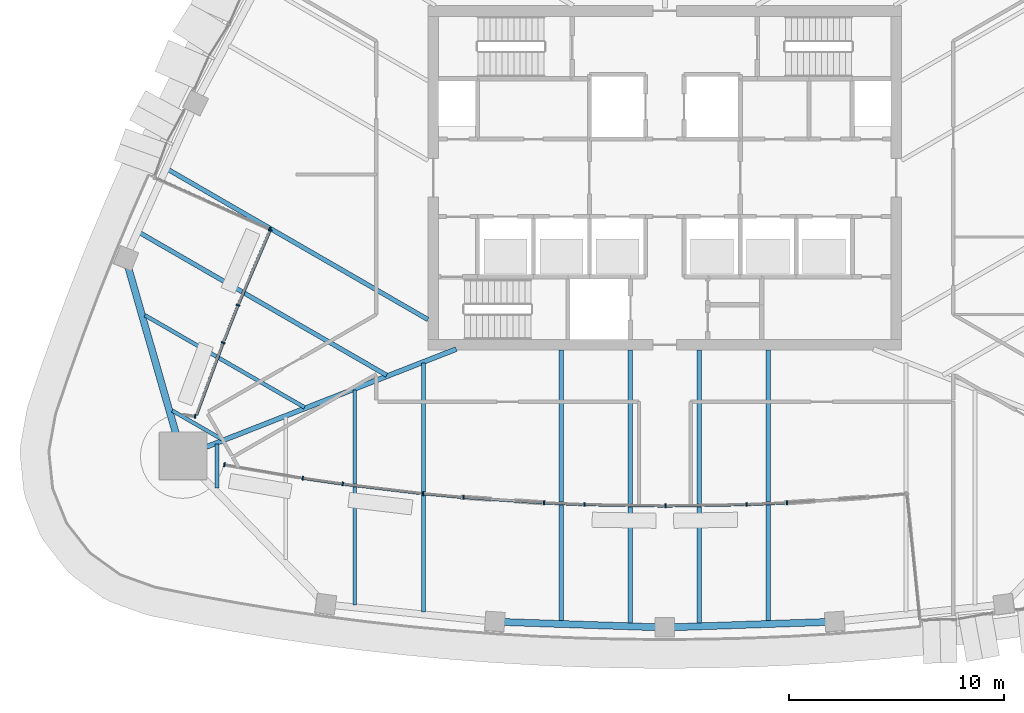
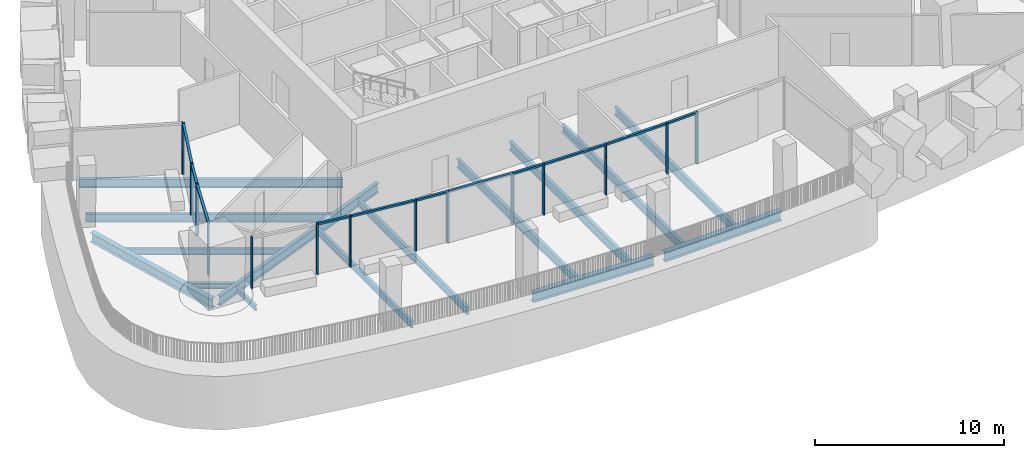
# One storey, part 2 of 22: 26 members, 15 beams, 15 elements without a shape of their own.
"""IFC4 building model written with IfcOpenShell, lengths in metres."""

import ifcopenshell
import ifcopenshell.guid

model = None  # the IFC model being written
_history = None  # IfcOwnerHistory: only IFC2X3 demands one
_inside = {}  # id of a spatial element -> (the spatial element, [elements in it])
_under = {}  # id of a project, library or spatial element -> (it, [spatial elements below it])
_declared = {}  # id of a project -> (the project, [libraries it declares])
_typed = {}  # id of a type object -> (the type object, [elements of that type])
_made_of = {}  # id of a material, layer set ... -> (it, [elements and type objects made of it])


def new_model(schema):
    """Start an empty IFC model of exactly this schema.

    Asked for "IFC4X3", IfcOpenShell would pick the latest addendum, in which some entities
    have other attributes; the version numbers below select the first issue.
    IFC2X3 requires an IfcOwnerHistory on every rooted entity: one is made here for all.
    """
    global model, _history
    if schema == "IFC4X3":
        model = ifcopenshell.file(schema_version=(4, 3, 0, 0))
    else:
        model = ifcopenshell.file(schema=schema)
    _inside.clear()
    _under.clear()
    _declared.clear()
    _typed.clear()
    _made_of.clear()
    _history = None
    if model.schema == "IFC2X3":
        org = make("IfcOrganization", Name="unknown")
        user = make(
            "IfcPersonAndOrganization",
            ThePerson=make("IfcPerson", FamilyName="unknown"),
            TheOrganization=org,
        )
        app = make(
            "IfcApplication",
            ApplicationDeveloper=org,
            Version="unknown",
            ApplicationFullName="unknown",
            ApplicationIdentifier="unknown",
        )
        _history = make(
            "IfcOwnerHistory",
            OwningUser=user,
            OwningApplication=app,
            ChangeAction="ADDED",
            CreationDate=0,
        )
    return model


def make(cls, **values):
    """One entity of the class cls with the attributes given. An attribute that is None is left unset."""
    return model.create_entity(
        cls, **{name: value for name, value in values.items() if value is not None}
    )


def rooted(cls, **values):
    """An entity with a GlobalId (a new one), such as an element, a storey or a relation."""
    return make(cls, GlobalId=ifcopenshell.guid.new(), OwnerHistory=_history, **values)


def si_unit(unit_type, name, prefix=None):
    """IfcSIUnit, for example si_unit("LENGTHUNIT", "METRE", prefix="MILLI")."""
    return make("IfcSIUnit", UnitType=unit_type, Prefix=prefix, Name=name)


def assignment(units):
    """IfcUnitAssignment: the units of a project."""
    return None if units is None else make("IfcUnitAssignment", Units=units)


def point(xyz):
    """IfcCartesianPoint."""
    return None if xyz is None else make("IfcCartesianPoint", Coordinates=xyz)


def direction(xyz):
    """IfcDirection."""
    return None if xyz is None else make("IfcDirection", DirectionRatios=xyz)


def frame(location, z_axis=None, x_axis=None):
    """IfcAxis2Placement3D, a coordinate frame: its origin and axes. An axis left out is left unset."""
    return make(
        "IfcAxis2Placement3D",
        Location=point(location),
        Axis=direction(z_axis),
        RefDirection=direction(x_axis),
    )


def frame_2d(location, x_axis=None):
    """IfcAxis2Placement2D, a coordinate frame in the plane: its origin and x axis."""
    return make(
        "IfcAxis2Placement2D", Location=point(location), RefDirection=direction(x_axis)
    )


def origin():
    """The frame at (0, 0, 0) with its axes left unset."""
    return frame((0.0, 0.0, 0.0))


def origin_2d():
    """The frame at (0, 0) in the plane with its x axis left unset."""
    return frame_2d((0.0, 0.0))


def place(relative_to, where):
    """IfcLocalPlacement: puts the frame where relative to a parent placement (None: the world)."""
    return make(
        "IfcLocalPlacement", PlacementRelTo=relative_to, RelativePlacement=where
    )


def context(
    kind, dimensions, precision=None, world=None, true_north=None, identifier=None
):
    """IfcGeometricRepresentationContext, for example the 3D "Model" context."""
    return make(
        "IfcGeometricRepresentationContext",
        ContextIdentifier=identifier,
        ContextType=kind,
        CoordinateSpaceDimension=dimensions,
        Precision=precision,
        WorldCoordinateSystem=world,
        TrueNorth=true_north,
    )


def subcontext(parent, identifier, kind, view, scale=None):
    """IfcGeometricRepresentationSubContext, for example "Body" below "Model"."""
    return make(
        "IfcGeometricRepresentationSubContext",
        ContextIdentifier=identifier,
        ContextType=kind,
        ParentContext=parent,
        TargetScale=scale,
        TargetView=view,
    )


def project(units=None, contexts=None):
    """IfcProject with its units and contexts."""
    return rooted(
        "IfcProject",
        Name="project",
        RepresentationContexts=contexts,
        UnitsInContext=assignment(units),
    )


def spatial(cls, under=None, at=None, **own):
    """A site, building, storey or space (cls), placed at a placement, below another one or the project."""
    s = rooted(cls, ObjectPlacement=at, **own)
    if under is not None:
        _under.setdefault(under.id(), (under, []))[1].append(s)
    return s


def profile(cls, at=None, kind="AREA", **sizes):
    """A parametric profile (cls). Its sizes go by their IFC names, for example OverallWidth=200.0."""
    return make(cls, ProfileType=kind, Position=at, **sizes)


def rectangle(**sizes):
    """IfcRectangleProfileDef."""
    return profile("IfcRectangleProfileDef", **sizes)


def i_section(**sizes):
    """IfcIShapeProfileDef."""
    return profile("IfcIShapeProfileDef", **sizes)


def extrude(swept, where, along, depth):
    """IfcExtrudedAreaSolid: the profile swept, set in the frame where, extruded along a direction by depth."""
    return make(
        "IfcExtrudedAreaSolid",
        SweptArea=swept,
        Position=where,
        ExtrudedDirection=direction(along),
        Depth=depth,
    )


def shape(context_of_items, identifier, shape_type, items):
    """IfcShapeRepresentation: the items that make up one representation, for example the "Body"."""
    return make(
        "IfcShapeRepresentation",
        ContextOfItems=context_of_items,
        RepresentationIdentifier=identifier,
        RepresentationType=shape_type,
        Items=items,
    )


def material(Name=None, Category=None):
    """IfcMaterial."""
    return make("IfcMaterial", Name=Name, Category=Category)


def layer(
    of_material, thickness, ventilated=None, Name=None, Category=None, Priority=None
):
    """IfcMaterialLayer: one layer of a wall or slab, of a material (None: an air gap)."""
    return make(
        "IfcMaterialLayer",
        Material=of_material,
        LayerThickness=thickness,
        IsVentilated=ventilated,
        Name=Name,
        Category=Category,
        Priority=Priority,
    )


def layer_set(layers, Name=None):
    """IfcMaterialLayerSet."""
    return make("IfcMaterialLayerSet", MaterialLayers=layers, LayerSetName=Name)


def material_profile(
    of_material, cross_section, Name=None, Category=None, Priority=None
):
    """IfcMaterialProfile: a cross section and its material."""
    return make(
        "IfcMaterialProfile",
        Name=Name,
        Material=of_material,
        Profile=cross_section,
        Priority=Priority,
        Category=Category,
    )


def profile_set(profiles, Name=None, composite=None):
    """IfcMaterialProfileSet."""
    return make(
        "IfcMaterialProfileSet",
        Name=Name,
        MaterialProfiles=profiles,
        CompositeProfile=composite,
    )


def made_of(thing, what):
    """Note that an element or type object is made of a material, layer set ...; save() writes the relation."""
    if what is not None:
        _made_of.setdefault(what.id(), (what, []))[1].append(thing)
    return thing


def type_object(cls, material=None, **own):
    """A type object (cls), such as IfcWallType, which elements share."""
    return made_of(rooted(cls, **own), material)


def element(
    cls,
    number,
    at=None,
    inside=None,
    cuts=None,
    type_object=None,
    material=None,
    context=None,
    identifier="Body",
    shape_type=None,
    held_by="IfcProductDefinitionShape",
    body=None,
    shapes=None,
    **own,
):
    """One element of the class cls, such as IfcWall. Its Tag is "e" and its number.

    at: its placement. inside: the storey or other place that contains it. cuts: it is an
    opening in that element (IfcRelVoidsElement). A single representation is given by context,
    identifier, shape_type and body (its items); several are given by shapes. held_by: the class
    of the entity that holds the representations. save() writes the other relations.
    """
    e = rooted(cls, Tag="e%d" % number, ObjectPlacement=at, **own)
    if body is not None:
        shapes = [shape(context, identifier, shape_type, body)]
    if shapes is not None:
        e.Representation = make(held_by, Representations=shapes)
    if inside is not None:
        _inside.setdefault(inside.id(), (inside, []))[1].append(e)
    if cuts is not None:
        rooted(
            "IfcRelVoidsElement", RelatingBuildingElement=cuts, RelatedOpeningElement=e
        )
    if type_object is not None:
        _typed.setdefault(type_object.id(), (type_object, []))[1].append(e)
    return made_of(e, material)


def aggregate(whole, parts):
    """IfcRelAggregates: a whole, such as a stair, and the parts it consists of."""
    return rooted("IfcRelAggregates", RelatingObject=whole, RelatedObjects=parts)


def save(model, path):
    """Write the relations noted so far, then the file.

    IfcRelAggregates (storeys below a building ...), IfcRelContainedInSpatialStructure (elements
    in a storey), IfcRelDefinesByType, IfcRelAssociatesMaterial and IfcRelDeclares: one each for
    every whole, place, type object, material and project.
    """
    for whole, parts in _under.values():
        aggregate(whole, parts)
    for where, things in _inside.values():
        rooted(
            "IfcRelContainedInSpatialStructure",
            RelatedElements=things,
            RelatingStructure=where,
        )
    for kind, things in _typed.values():
        rooted("IfcRelDefinesByType", RelatedObjects=things, RelatingType=kind)
    for what, things in _made_of.values():
        rooted("IfcRelAssociatesMaterial", RelatedObjects=things, RelatingMaterial=what)
    for by, libraries in _declared.values():
        rooted("IfcRelDeclares", RelatingContext=by, RelatedDefinitions=libraries)
    model.write(path)


model = new_model("IFC4")

# Units and contexts
model_context = context("Model", 3, precision=1e-05, world=origin(), true_north=direction((0.0, 1.0)))
body_context = subcontext(model_context, "Body", "Model", "MODEL_VIEW")
ifc_project = project(units=[si_unit("LENGTHUNIT", "METRE"), si_unit("AREAUNIT", "SQUARE_METRE"), si_unit("VOLUMEUNIT", "CUBIC_METRE"), si_unit("PLANEANGLEUNIT", "RADIAN"), si_unit("MASSUNIT", "GRAM", prefix="KILO")], contexts=[model_context])

# Site, building, storey
site_placement = place(None, origin())
site = spatial("IfcSite", under=ifc_project, at=site_placement, CompositionType="ELEMENT")
building_placement = place(site_placement, origin())
building = spatial("IfcBuilding", under=site, at=building_placement, Name="Sierra Prisma Convention Tower", CompositionType="ELEMENT")
storey_placement = place(building_placement, frame((0.0, 0.0, 227.0)))
storey = spatial("IfcBuildingStorey", under=building, at=storey_placement, Name="L50", CompositionType="ELEMENT", Elevation=227.0)

# Curtain wall, member
ifc_material_1 = material(Name="Aluminium and glass curtain wall", Category="aluminium")
ifc_layer = layer(ifc_material_1, 0.179931640625)
ifc_layer_set = layer_set([ifc_layer], Name="CW-6 Terrace recess curtain wall")
curtain_wall_type = type_object("IfcCurtainWallType", Name="CW-6 Terrace recess curtain wall", PredefinedType="NOTDEFINED", material=ifc_layer_set)
curtain_wall_1_placement = place(storey_placement, origin())
curtain_wall_1 = element("IfcCurtainWall", 1, at=curtain_wall_1_placement, inside=storey, type_object=curtain_wall_type, Name="CW-6 R1 L50", PredefinedType="NOTDEFINED")
ifc_material_2 = material(Name="Aluminium 6063-T6 bronze anodised", Category="aluminium")
ifc_material_profile_1 = material_profile(ifc_material_2, rectangle(XDim=0.179931640625, YDim=0.070068359375, at=origin_2d()), Name="ALU MULLION 70x180")
ifc_profile_set_1 = profile_set([ifc_material_profile_1], Name="Aluminium 6063-T6 bronze anodised")
member_type_1 = type_object("IfcMemberType", Name="CW mullion bronze", PredefinedType="MULLION", material=ifc_profile_set_1)
member_1_placement = place(storey_placement, frame((-18.33349609375, -2.433349609375, 0.0), z_axis=(0.0, 0.0, 1.0), x_axis=(0.919267420924, -0.393633597179, 0.0)))
member_1 = element("IfcMember", 2, at=member_1_placement, type_object=member_type_1, Name="CW-6 mullion R1.1", PredefinedType="MULLION", context=body_context, shape_type="SweptSolid", body=[
    extrude(rectangle(XDim=0.179931640625, YDim=0.070068359375, at=origin_2d()), origin(), (0.0, 0.0, 1.0), 3.340087890625),
])

curtain_wall_2_placement = place(storey_placement, origin())
curtain_wall_2 = element("IfcCurtainWall", 3, at=curtain_wall_2_placement, inside=storey, type_object=curtain_wall_type, Name="CW-6 R2 L50", PredefinedType="NOTDEFINED")
member_2_placement = place(storey_placement, frame((-19.821533203125, -5.91064453125, 0.0), z_axis=(0.0, 0.0, 1.0), x_axis=(0.929073562376, -0.369895006312, 0.0)))
member_2 = element("IfcMember", 4, at=member_2_placement, type_object=member_type_1, Name="CW-6 mullion R2.1", PredefinedType="MULLION", context=body_context, shape_type="SweptSolid", body=[
    extrude(rectangle(XDim=0.179931640625, YDim=0.070068359375, at=origin_2d()), origin(), (0.0, 0.0, 1.0), 3.340087890625),
])

curtain_wall_3_placement = place(storey_placement, origin())
curtain_wall_3 = element("IfcCurtainWall", 5, at=curtain_wall_3_placement, inside=storey, type_object=curtain_wall_type, Name="CW-6 R3 L50", PredefinedType="NOTDEFINED")
member_3_placement = place(storey_placement, frame((-20.51611328125, -7.65771484375, 0.0), z_axis=(0.0, 0.0, 1.0), x_axis=(0.938156435914, -0.346211643008, 0.0)))
member_3 = element("IfcMember", 6, at=member_3_placement, type_object=member_type_1, Name="CW-6 mullion R3.1", PredefinedType="MULLION", context=body_context, shape_type="SweptSolid", body=[
    extrude(rectangle(XDim=0.179931640625, YDim=0.070068359375, at=origin_2d()), origin(), (0.0, 0.0, 1.0), 3.340087890625),
])

curtain_wall_4_placement = place(storey_placement, origin())
curtain_wall_4 = element("IfcCurtainWall", 7, at=curtain_wall_4_placement, inside=storey, type_object=curtain_wall_type, Name="CW-6 R4 L50", PredefinedType="NOTDEFINED")
member_4_placement = place(storey_placement, frame((-21.81494140625, -11.077880859375, 0.0), z_axis=(0.0, 0.0, 1.0), x_axis=(-0.164850574358, -0.986318553072, 0.0)))
member_4 = element("IfcMember", 8, at=member_4_placement, type_object=member_type_1, Name="CW-6 mullion R4.1", PredefinedType="MULLION", context=body_context, shape_type="SweptSolid", body=[
    extrude(rectangle(XDim=0.179931640625, YDim=0.070068359375, at=origin_2d()), origin(), (0.0, 0.0, 1.0), 3.340087890625),
])
aggregate(curtain_wall_4, [member_4])

curtain_wall_5_placement = place(storey_placement, origin())
curtain_wall_5 = element("IfcCurtainWall", 9, at=curtain_wall_5_placement, inside=storey, type_object=curtain_wall_type, Name="CW-6 R28 L50", PredefinedType="NOTDEFINED")
member_5_placement = place(storey_placement, frame((-20.45263671875, -13.326904296875, 0.0), z_axis=(0.0, 0.0, 1.0), x_axis=(0.169245963622, 0.985573844924, 0.0)))
member_5 = element("IfcMember", 10, at=member_5_placement, type_object=member_type_1, Name="CW-6 mullion R28.1", PredefinedType="MULLION", context=body_context, shape_type="SweptSolid", body=[
    extrude(rectangle(XDim=0.179931640625, YDim=0.070068359375, at=origin_2d()), origin(), (0.0, 0.0, 1.0), 3.340087890625),
])
aggregate(curtain_wall_5, [member_5])

curtain_wall_6_placement = place(storey_placement, origin())
curtain_wall_6 = element("IfcCurtainWall", 11, at=curtain_wall_6_placement, inside=storey, type_object=curtain_wall_type, Name="CW-6 R29 L50", PredefinedType="NOTDEFINED")
member_6_placement = place(storey_placement, frame((-16.82080078125, -13.94970703125, 0.0), z_axis=(0.0, 0.0, 1.0), x_axis=(0.144198308988, 0.989548810158, 0.0)))
member_6 = element("IfcMember", 12, at=member_6_placement, type_object=member_type_1, Name="CW-6 mullion R29.1", PredefinedType="MULLION", context=body_context, shape_type="SweptSolid", body=[
    extrude(rectangle(XDim=0.179931640625, YDim=0.070068359375, at=origin_2d()), origin(), (0.0, 0.0, 1.0), 3.340087890625),
])

curtain_wall_7_placement = place(storey_placement, origin())
curtain_wall_7 = element("IfcCurtainWall", 13, at=curtain_wall_7_placement, inside=storey, type_object=curtain_wall_type, Name="CW-6 R30 L50", PredefinedType="NOTDEFINED")
member_7_placement = place(storey_placement, frame((-14.960205078125, -14.2197265625, 0.0), z_axis=(0.0, 0.0, 1.0), x_axis=(0.118885140501, 0.992908013548, 0.0)))
member_7 = element("IfcMember", 14, at=member_7_placement, type_object=member_type_1, Name="CW-6 mullion R30.1", PredefinedType="MULLION", context=body_context, shape_type="SweptSolid", body=[
    extrude(rectangle(XDim=0.179931640625, YDim=0.070068359375, at=origin_2d()), origin(), (0.0, 0.0, 1.0), 3.340087890625),
])

curtain_wall_8_placement = place(storey_placement, origin())
curtain_wall_8 = element("IfcCurtainWall", 15, at=curtain_wall_8_placement, inside=storey, type_object=curtain_wall_type, Name="CW-6 R31 L50", PredefinedType="NOTDEFINED")
member_8_placement = place(storey_placement, frame((-11.2265625, -14.666015625, 0.0), z_axis=(0.0, 0.0, 1.0), x_axis=(0.093494454075, 0.995619800455, 0.0)))
member_8 = element("IfcMember", 16, at=member_8_placement, type_object=member_type_1, Name="CW-6 mullion R31.1", PredefinedType="MULLION", context=body_context, shape_type="SweptSolid", body=[
    extrude(rectangle(XDim=0.179931640625, YDim=0.070068359375, at=origin_2d()), origin(), (0.0, 0.0, 1.0), 3.340087890625),
])

curtain_wall_9_placement = place(storey_placement, origin())
curtain_wall_9 = element("IfcCurtainWall", 17, at=curtain_wall_9_placement, inside=storey, type_object=curtain_wall_type, Name="CW-6 R32 L50", PredefinedType="NOTDEFINED")
member_9_placement = place(storey_placement, frame((-9.3544921875, -14.8408203125, 0.0), z_axis=(0.0, 0.0, 1.0), x_axis=(0.068042805455, 0.997682402684, 0.0)))
member_9 = element("IfcMember", 18, at=member_9_placement, type_object=member_type_1, Name="CW-6 mullion R32.1", PredefinedType="MULLION", context=body_context, shape_type="SweptSolid", body=[
    extrude(rectangle(XDim=0.179931640625, YDim=0.070068359375, at=origin_2d()), origin(), (0.0, 0.0, 1.0), 3.340087890625),
])

curtain_wall_10_placement = place(storey_placement, origin())
curtain_wall_10 = element("IfcCurtainWall", 19, at=curtain_wall_10_placement, inside=storey, type_object=curtain_wall_type, Name="CW-6 R33 L50", PredefinedType="NOTDEFINED")
member_10_placement = place(storey_placement, frame((-5.60302734375, -15.095947265625, 0.0), z_axis=(0.0, 0.0, 1.0), x_axis=(0.042546790154, 0.999094475336, 0.0)))
member_10 = element("IfcMember", 20, at=member_10_placement, type_object=member_type_1, Name="CW-6 mullion R33.1", PredefinedType="MULLION", context=body_context, shape_type="SweptSolid", body=[
    extrude(rectangle(XDim=0.179931640625, YDim=0.070068359375, at=origin_2d()), origin(), (0.0, 0.0, 1.0), 3.340087890625),
])

curtain_wall_11_placement = place(storey_placement, origin())
curtain_wall_11 = element("IfcCurtainWall", 21, at=curtain_wall_11_placement, inside=storey, type_object=curtain_wall_type, Name="CW-6 R34 L50", PredefinedType="NOTDEFINED")
member_11_placement = place(storey_placement, frame((-3.724609375, -15.175048828125, 0.0), z_axis=(0.0, 0.0, 1.0), x_axis=(0.017023032595, 0.999855097682, 0.0)))
member_11 = element("IfcMember", 22, at=member_11_placement, type_object=member_type_1, Name="CW-6 mullion R34.1", PredefinedType="MULLION", context=body_context, shape_type="SweptSolid", body=[
    extrude(rectangle(XDim=0.179931640625, YDim=0.070068359375, at=origin_2d()), origin(), (0.0, 0.0, 1.0), 3.340087890625),
])

curtain_wall_12_placement = place(storey_placement, origin())
curtain_wall_12 = element("IfcCurtainWall", 23, at=curtain_wall_12_placement, inside=storey, type_object=curtain_wall_type, Name="CW-6 R35 L50", PredefinedType="NOTDEFINED")
member_12_placement = place(storey_placement, frame((0.034912109375, -15.23779296875, 0.0), z_axis=(0.0, 0.0, 1.0), x_axis=(-0.017023032595, 0.999855097682, 0.0)))
member_12 = element("IfcMember", 24, at=member_12_placement, type_object=member_type_1, Name="CW-6 mullion R35.1", PredefinedType="MULLION", context=body_context, shape_type="SweptSolid", body=[
    extrude(rectangle(XDim=0.179931640625, YDim=0.070068359375, at=origin_2d()), origin(), (0.0, 0.0, 1.0), 3.340087890625),
])

curtain_wall_13_placement = place(storey_placement, origin())
curtain_wall_13 = element("IfcCurtainWall", 25, at=curtain_wall_13_placement, inside=storey, type_object=curtain_wall_type, Name="CW-6 R36 L50", PredefinedType="NOTDEFINED")
member_13_placement = place(storey_placement, frame((3.794677734375, -15.1728515625, 0.0), z_axis=(0.0, 0.0, 1.0), x_axis=(-0.042546790154, 0.999094475336, 0.0)))
member_13 = element("IfcMember", 26, at=member_13_placement, type_object=member_type_1, Name="CW-6 mullion R36.1", PredefinedType="MULLION", context=body_context, shape_type="SweptSolid", body=[
    extrude(rectangle(XDim=0.179931640625, YDim=0.070068359375, at=origin_2d()), origin(), (0.0, 0.0, 1.0), 3.340087890625),
])

curtain_wall_14_placement = place(storey_placement, origin())
curtain_wall_14 = element("IfcCurtainWall", 27, at=curtain_wall_14_placement, inside=storey, type_object=curtain_wall_type, Name="CW-6 R37 L50", PredefinedType="NOTDEFINED")
member_14_placement = place(storey_placement, frame((5.673095703125, -15.092041015625, 0.0), z_axis=(0.0, 0.0, 1.0), x_axis=(-0.068042805455, 0.997682402684, 0.0)))
member_14 = element("IfcMember", 28, at=member_14_placement, type_object=member_type_1, Name="CW-6 mullion R37.1", PredefinedType="MULLION", context=body_context, shape_type="SweptSolid", body=[
    extrude(rectangle(XDim=0.179931640625, YDim=0.070068359375, at=origin_2d()), origin(), (0.0, 0.0, 1.0), 3.340087890625),
])
aggregate(curtain_wall_14, [member_14])

curtain_wall_15_placement = place(storey_placement, origin())
curtain_wall_15 = element("IfcCurtainWall", 29, at=curtain_wall_15_placement, inside=storey, type_object=curtain_wall_type, Name="CW-6 RT1 L50", PredefinedType="NOTDEFINED")
member_15_placement = place(storey_placement, frame((-18.351806640625, -2.386962890625, 0.0), z_axis=(0.0, 0.0, 1.0), x_axis=(0.409089155157, 0.912494418138, 0.0)))
member_15 = element("IfcMember", 30, at=member_15_placement, type_object=member_type_1, Name="CW-6 mullion RT1.2", PredefinedType="MULLION", context=body_context, shape_type="SweptSolid", body=[
    extrude(rectangle(XDim=0.179931640625, YDim=0.070068359375, at=origin_2d()), origin(), (0.0, 0.0, 1.0), 3.340087890625),
])
aggregate(curtain_wall_15, [member_15])

# Member
ifc_material_3 = material(Name="Aluminium 6063-T6 bronze anodised", Category="aluminium")
ifc_material_profile_2 = material_profile(ifc_material_3, rectangle(XDim=0.139892578125, YDim=0.1201171875, at=origin_2d()), Name="ALU TRANSOM 120x140")
ifc_profile_set_2 = profile_set([ifc_material_profile_2], Name="Aluminium 6063-T6 bronze anodised")
member_type_2 = type_object("IfcMemberType", Name="CW transom bronze", PredefinedType="USERDEFINED", material=ifc_profile_set_2)
member_16_placement = place(storey_placement, frame((-18.347412109375, -2.465576171875, 3.280029296875), z_axis=(-0.393611853964, -0.919276731142, 0.0), x_axis=(0.919276731142, -0.393611853964, 0.0)))
member_16 = element("IfcMember", 31, at=member_16_placement, type_object=member_type_2, Name="CW-6 transom R1.1", ObjectType="TRANSOM", PredefinedType="USERDEFINED", context=body_context, shape_type="SweptSolid", body=[
    extrude(rectangle(XDim=0.139892578125, YDim=0.1201171875, at=origin_2d()), origin(), (0.0, 0.0, 1.0), 3.64208984375),
])

aggregate(curtain_wall_1, [member_1, member_16])

member_17_placement = place(storey_placement, frame((-19.83447265625, -5.943115234375, 3.280029296875), z_axis=(-0.369963078904, -0.929046457529, 0.0), x_axis=(0.929046457529, -0.369963078904, 0.0)))
member_17 = element("IfcMember", 32, at=member_17_placement, type_object=member_type_2, Name="CW-6 transom R2.1", ObjectType="TRANSOM", PredefinedType="USERDEFINED", context=body_context, shape_type="SweptSolid", body=[
    extrude(rectangle(XDim=0.139892578125, YDim=0.1201171875, at=origin_2d()), origin(), (0.0, 0.0, 1.0), 1.740234375),
])

aggregate(curtain_wall_2, [member_2, member_17])

member_18_placement = place(storey_placement, frame((-20.5283203125, -7.690673828125, 3.280029296875), z_axis=(-0.346177430913, -0.938169060632, 0.0), x_axis=(0.938169060632, -0.346177430913, 0.0)))
member_18 = element("IfcMember", 33, at=member_18_placement, type_object=member_type_2, Name="CW-6 transom R3.1", ObjectType="TRANSOM", PredefinedType="USERDEFINED", context=body_context, shape_type="SweptSolid", body=[
    extrude(rectangle(XDim=0.139892578125, YDim=0.1201171875, at=origin_2d()), origin(), (0.0, 0.0, 1.0), 3.546630859375),
])

aggregate(curtain_wall_3, [member_3, member_18])

member_19_placement = place(storey_placement, frame((-16.7861328125, -13.95458984375, 3.280029296875), z_axis=(0.989544247457, -0.144229616672, 0.0), x_axis=(0.144229616672, 0.989544247457, 0.0)))
member_19 = element("IfcMember", 34, at=member_19_placement, type_object=member_type_2, Name="CW-6 transom R29.1", ObjectType="TRANSOM", PredefinedType="USERDEFINED", context=body_context, shape_type="SweptSolid", body=[
    extrude(rectangle(XDim=0.139892578125, YDim=0.1201171875, at=origin_2d()), origin(), (0.0, 0.0, 1.0), 1.740234375),
])

aggregate(curtain_wall_6, [member_6, member_19])

member_20_placement = place(storey_placement, frame((-14.925537109375, -14.223876953125, 3.280029296875), z_axis=(0.992906803619, -0.11889524518, 0.0), x_axis=(0.11889524518, 0.992906803619, 0.0)))
member_20 = element("IfcMember", 35, at=member_20_placement, type_object=member_type_2, Name="CW-6 transom R30.1", ObjectType="TRANSOM", PredefinedType="USERDEFINED", context=body_context, shape_type="SweptSolid", body=[
    extrude(rectangle(XDim=0.139892578125, YDim=0.1201171875, at=origin_2d()), origin(), (0.0, 0.0, 1.0), 3.6201171875),
])

aggregate(curtain_wall_7, [member_7, member_20])

member_21_placement = place(storey_placement, frame((-11.191650390625, -14.669189453125, 3.280029296875), z_axis=(0.995611377908, -0.093584102179, 0.0), x_axis=(0.093584102179, 0.995611377908, 0.0)))
member_21 = element("IfcMember", 36, at=member_21_placement, type_object=member_type_2, Name="CW-6 transom R31.1", ObjectType="TRANSOM", PredefinedType="USERDEFINED", context=body_context, shape_type="SweptSolid", body=[
    extrude(rectangle(XDim=0.139892578125, YDim=0.1201171875, at=origin_2d()), origin(), (0.0, 0.0, 1.0), 1.739990234375),
])

aggregate(curtain_wall_8, [member_8, member_21])

member_22_placement = place(storey_placement, frame((-9.319580078125, -14.84326171875, 3.280029296875), z_axis=(0.99768192392, -0.068049825001, 0.0), x_axis=(0.068049825001, 0.99768192392, 0.0)))
member_22 = element("IfcMember", 37, at=member_22_placement, type_object=member_type_2, Name="CW-6 transom R32.1", ObjectType="TRANSOM", PredefinedType="USERDEFINED", context=body_context, shape_type="SweptSolid", body=[
    extrude(rectangle(XDim=0.139892578125, YDim=0.1201171875, at=origin_2d()), origin(), (0.0, 0.0, 1.0), 3.619873046875),
])

aggregate(curtain_wall_9, [member_9, member_22])

member_23_placement = place(storey_placement, frame((-5.568115234375, -15.097412109375, 3.280029296875), z_axis=(0.999095967477, -0.042511736855, 0.0), x_axis=(0.042511736855, 0.999095967477, 0.0)))
member_23 = element("IfcMember", 38, at=member_23_placement, type_object=member_type_2, Name="CW-6 transom R33.1", ObjectType="TRANSOM", PredefinedType="USERDEFINED", context=body_context, shape_type="SweptSolid", body=[
    extrude(rectangle(XDim=0.139892578125, YDim=0.1201171875, at=origin_2d()), origin(), (0.0, 0.0, 1.0), 1.739990234375),
])

aggregate(curtain_wall_10, [member_10, member_23])

member_24_placement = place(storey_placement, frame((-3.689697265625, -15.175537109375, 3.280029296875), z_axis=(0.999855579447, -0.016994712399, 0.0), x_axis=(0.016994712399, 0.999855579447, 0.0)))
member_24 = element("IfcMember", 39, at=member_24_placement, type_object=member_type_2, Name="CW-6 transom R34.1", ObjectType="TRANSOM", PredefinedType="USERDEFINED", context=body_context, shape_type="SweptSolid", body=[
    extrude(rectangle(XDim=0.139892578125, YDim=0.1201171875, at=origin_2d()), origin(), (0.0, 0.0, 1.0), 3.6201171875),
])

aggregate(curtain_wall_11, [member_11, member_24])

member_25_placement = place(storey_placement, frame((0.070068359375, -15.237060546875, 3.280029296875), z_axis=(0.999855579447, 0.016994712399, 0.0), x_axis=(-0.016994712399, 0.999855579447, 0.0)))
member_25 = element("IfcMember", 40, at=member_25_placement, type_object=member_type_2, Name="CW-6 transom R35.1", ObjectType="TRANSOM", PredefinedType="USERDEFINED", context=body_context, shape_type="SweptSolid", body=[
    extrude(rectangle(XDim=0.139892578125, YDim=0.1201171875, at=origin_2d()), origin(), (0.0, 0.0, 1.0), 3.6201171875),
])

aggregate(curtain_wall_12, [member_12, member_25])

member_26_placement = place(storey_placement, frame((3.82958984375, -15.17138671875, 3.280029296875), z_axis=(0.999095967477, 0.042511736855, 0.0), x_axis=(-0.042511736855, 0.999095967477, 0.0)))
member_26 = element("IfcMember", 41, at=member_26_placement, type_object=member_type_2, Name="CW-6 transom R36.1", ObjectType="TRANSOM", PredefinedType="USERDEFINED", context=body_context, shape_type="SweptSolid", body=[
    extrude(rectangle(XDim=0.139892578125, YDim=0.1201171875, at=origin_2d()), origin(), (0.0, 0.0, 1.0), 1.739990234375),
])

aggregate(curtain_wall_13, [member_13, member_26])

# Beams
ifc_material_4 = material(Name="Steel ASTM A992 Gr 50", Category="steel")
ifc_material_profile_3 = material_profile(ifc_material_4, i_section(OverallWidth=0.172119140625, OverallDepth=0.35791015625, WebThickness=0.0078125, FlangeThickness=0.01318359375, at=origin_2d()), Name="W360x57")
ifc_profile_set_3 = profile_set([ifc_material_profile_3], Name="Steel ASTM A992 Gr 50")
beam_type_1 = type_object("IfcBeamType", Name="Floor joist W360x57", PredefinedType="JOIST", material=ifc_profile_set_3)
beam_1_placement = place(storey_placement, frame((-20.8037109375, -14.408447265625, -0.47900390625), z_axis=(0.0, 1.0, 0.0), x_axis=(-1.0, 0.0, 0.0)))
element("IfcBeam", 42, at=beam_1_placement, inside=storey, type_object=beam_type_1, Name="Floor joist L50 S01", PredefinedType="JOIST", context=body_context, shape_type="SweptSolid", body=[
    extrude(i_section(OverallWidth=0.172119140625, OverallDepth=0.35791015625, WebThickness=0.0078125, FlangeThickness=0.01318359375, at=origin_2d()), origin(), (0.0, 0.0, 1.0), 2.050537109375),
])
beam_2_placement = place(storey_placement, frame((-22.8798828125, -10.8125, -0.47900390625), z_axis=(0.866019505967, -0.500010215181, 0.0), x_axis=(0.500010215181, 0.866019505967, 0.0)))
element("IfcBeam", 43, at=beam_2_placement, inside=storey, type_object=beam_type_1, Name="Floor joist L50 NW14", PredefinedType="JOIST", context=body_context, shape_type="SweptSolid", body=[
    extrude(i_section(OverallWidth=0.172119140625, OverallDepth=0.35791015625, WebThickness=0.0078125, FlangeThickness=0.01318359375, at=origin_2d()), origin(), (0.0, 0.0, 1.0), 2.69287109375),
])
ifc_material_5 = material(Name="Steel ASTM A992 Gr 50", Category="steel")
ifc_material_profile_4 = material_profile(ifc_material_5, i_section(OverallWidth=0.177978515625, OverallDepth=0.406982421875, WebThickness=0.0078125, FlangeThickness=0.0126953125, at=origin_2d()), Name="W410x60")
ifc_profile_set_4 = profile_set([ifc_material_profile_4], Name="Steel ASTM A992 Gr 50")
beam_type_2 = type_object("IfcBeamType", Name="Floor joist W410x60", PredefinedType="JOIST", material=ifc_profile_set_4)
beam_3_placement = place(storey_placement, frame((-14.402587890625, -19.839599609375, -0.50341796875), z_axis=(0.0, 1.0, 0.0), x_axis=(-1.0, 0.0, 0.0)))
element("IfcBeam", 44, at=beam_3_placement, inside=storey, type_object=beam_type_2, Name="Floor joist L50 S03", PredefinedType="JOIST", context=body_context, shape_type="SweptSolid", body=[
    extrude(i_section(OverallWidth=0.177978515625, OverallDepth=0.406982421875, WebThickness=0.0078125, FlangeThickness=0.0126953125, at=origin_2d()), origin(), (0.0, 0.0, 1.0), 9.988037109375),
])
beam_4_placement = place(storey_placement, frame((-24.150146484375, -6.38330078125, -0.50341796875), z_axis=(0.866029401122, -0.499993076345, 0.0), x_axis=(0.499993076345, 0.866029401122, 0.0)))
element("IfcBeam", 45, at=beam_4_placement, inside=storey, type_object=beam_type_2, Name="Floor joist L50 NW13", PredefinedType="JOIST", context=body_context, shape_type="SweptSolid", body=[
    extrude(i_section(OverallWidth=0.177978515625, OverallDepth=0.406982421875, WebThickness=0.0078125, FlangeThickness=0.0126953125, at=origin_2d()), origin(), (0.0, 0.0, 1.0), 8.56396484375),
])
ifc_material_6 = material(Name="Steel ASTM A992 Gr 50", Category="steel")
ifc_material_profile_5 = material_profile(ifc_material_6, i_section(OverallWidth=0.18994140625, OverallDepth=0.45703125, WebThickness=0.009033203125, FlangeThickness=0.014404296875, at=origin_2d()), Name="W460x74")
ifc_profile_set_5 = profile_set([ifc_material_profile_5], Name="Steel ASTM A992 Gr 50")
beam_type_3 = type_object("IfcBeamType", Name="Floor joist W460x74", PredefinedType="JOIST", material=ifc_profile_set_5)
beam_5_placement = place(storey_placement, frame((-11.2021484375, -20.167724609375, -0.528564453125), z_axis=(0.0, 1.0, 0.0), x_axis=(-1.0, 0.0, 0.0)))
element("IfcBeam", 46, at=beam_5_placement, inside=storey, type_object=beam_type_3, Name="Floor joist L50 S04", PredefinedType="JOIST", context=body_context, shape_type="SweptSolid", body=[
    extrude(i_section(OverallWidth=0.18994140625, OverallDepth=0.45703125, WebThickness=0.009033203125, FlangeThickness=0.014404296875, at=origin_2d()), origin(), (0.0, 0.0, 1.0), 11.5693359375),
])
ifc_material_7 = material(Name="Steel ASTM A992 Gr 50", Category="steel")
ifc_material_profile_6 = material_profile(ifc_material_7, i_section(OverallWidth=0.208984375, OverallDepth=0.532958984375, WebThickness=0.01025390625, FlangeThickness=0.015625, at=origin_2d()), Name="W530x92")
ifc_profile_set_6 = profile_set([ifc_material_profile_6], Name="Steel ASTM A992 Gr 50")
beam_type_4 = type_object("IfcBeamType", Name="Floor joist W530x92", PredefinedType="JOIST", material=ifc_profile_set_6)
beam_6_placement = place(storey_placement, frame((-4.80078125, -20.612548828125, -0.56640625), z_axis=(0.0, 1.0, 0.0), x_axis=(-1.0, 0.0, 0.0)))
element("IfcBeam", 47, at=beam_6_placement, inside=storey, type_object=beam_type_4, Name="Floor joist L50 S06", PredefinedType="JOIST", context=body_context, shape_type="SweptSolid", body=[
    extrude(i_section(OverallWidth=0.208984375, OverallDepth=0.532958984375, WebThickness=0.01025390625, FlangeThickness=0.015625, at=origin_2d()), origin(), (0.0, 0.0, 1.0), 12.612548828125),
])
for number, where, z_axis, x_axis, name in (
    (48, (-1.600341796875, -20.721435546875, -0.56640625), (0.0, 1.0, 0.0), (-1.0, 0.0, 0.0), "Floor joist L50 S07"),
    (49, (1.600341796875, -20.721435546875, -0.56640625), (0.0, 1.0, 0.0), (-1.0, 0.0, 0.0), "Floor joist L50 S08"),
):
    element("IfcBeam", number, at=place(storey_placement, frame(where, z_axis=z_axis, x_axis=x_axis)), inside=storey, type_object=beam_type_4, Name=name, PredefinedType="JOIST", context=body_context, shape_type="SweptSolid", body=[
        extrude(i_section(OverallWidth=0.208984375, OverallDepth=0.532958984375, WebThickness=0.01025390625, FlangeThickness=0.015625, at=origin_2d()), origin(), (0.0, 0.0, 1.0), 12.721435546875),
    ])
beam_7_placement = place(storey_placement, frame((4.80078125, -20.612548828125, -0.56640625), z_axis=(0.0, 1.0, 0.0), x_axis=(-1.0, 0.0, 0.0)))
element("IfcBeam", 50, at=beam_7_placement, inside=storey, type_object=beam_type_4, Name="Floor joist L50 S09", PredefinedType="JOIST", context=body_context, shape_type="SweptSolid", body=[
    extrude(i_section(OverallWidth=0.208984375, OverallDepth=0.532958984375, WebThickness=0.01025390625, FlangeThickness=0.015625, at=origin_2d()), origin(), (0.0, 0.0, 1.0), 12.612548828125),
])
beam_8_placement = place(storey_placement, frame((-23.066650390625, 0.382568359375, -0.56640625), z_axis=(0.866021891294, -0.500006083763, 0.0), x_axis=(0.500006083763, 0.866021891294, 0.0)))
element("IfcBeam", 51, at=beam_8_placement, inside=storey, type_object=beam_type_4, Name="Floor joist L50 NW11", PredefinedType="JOIST", context=body_context, shape_type="SweptSolid", body=[
    extrude(i_section(OverallWidth=0.208984375, OverallDepth=0.532958984375, WebThickness=0.01025390625, FlangeThickness=0.015625, at=origin_2d()), origin(), (0.0, 0.0, 1.0), 13.933349609375),
])
beam_9_placement = place(storey_placement, frame((-24.3828125, -2.55322265625, -0.56640625), z_axis=(0.866021265955, -0.500007166863, 0.0), x_axis=(0.500007166863, 0.866021265955, 0.0)))
element("IfcBeam", 52, at=beam_9_placement, inside=storey, type_object=beam_type_4, Name="Floor joist L50 NW12", PredefinedType="JOIST", context=body_context, shape_type="SweptSolid", body=[
    extrude(i_section(OverallWidth=0.208984375, OverallDepth=0.532958984375, WebThickness=0.01025390625, FlangeThickness=0.015625, at=origin_2d()), origin(), (0.0, 0.0, 1.0), 13.237060546875),
])
ifc_material_8 = material(Name="Steel ASTM A992 Gr 50", Category="steel")
ifc_material_profile_7 = material_profile(ifc_material_8, i_section(OverallWidth=0.22998046875, OverallDepth=0.616943359375, WebThickness=0.01318359375, FlangeThickness=0.022216796875, at=origin_2d()), Name="W610x140")
ifc_profile_set_7 = profile_set([ifc_material_profile_7], Name="Steel ASTM A992 Gr 50")
beam_type_5 = type_object("IfcBeamType", Name="Radial girder W610x140", PredefinedType="BEAM", material=ifc_profile_set_7)
beam_10_placement = place(storey_placement, frame((-22.18408203125, -12.848876953125, -0.45849609375), z_axis=(0.931169482082, 0.364586609244, 0.0), x_axis=(-0.364586609244, 0.931169482082, 0.0)))
element("IfcBeam", 53, at=beam_10_placement, inside=storey, type_object=beam_type_5, Name="Radial girder L50 SW", PredefinedType="BEAM", context=body_context, shape_type="SweptSolid", body=[
    extrude(i_section(OverallWidth=0.22998046875, OverallDepth=0.616943359375, WebThickness=0.01318359375, FlangeThickness=0.022216796875, at=origin_2d()), origin(), (0.0, 0.0, 1.0), 13.41943359375),
])
ifc_material_9 = material(Name="Steel ASTM A992 Gr 50", Category="steel")
ifc_material_profile_8 = material_profile(ifc_material_9, i_section(OverallWidth=0.324951171875, OverallDepth=0.615966796875, WebThickness=0.013916015625, FlangeThickness=0.021484375, at=origin_2d()), Name="W610x174")
ifc_profile_set_8 = profile_set([ifc_material_profile_8], Name="Steel ASTM A992 Gr 50")
beam_type_6 = type_object("IfcBeamType", Name="Spandrel beam W610x174", PredefinedType="BEAM", material=ifc_profile_set_8)
for number, where, z_axis, x_axis, name in (
    (54, (-7.5693359375, -20.630859375, -0.60791015625), (0.999420401748, -0.034042041203, 0.0), (0.034042041203, 0.999420401748, 0.0), "Spandrel L50-03"),
    (55, (0.330078125, -20.87744140625, -0.60791015625), (0.999420401748, 0.034042041203, 0.0), (-0.034042041203, 0.999420401748, 0.0), "Spandrel L50-04"),
):
    element("IfcBeam", number, at=place(storey_placement, frame(where, z_axis=z_axis, x_axis=x_axis)), inside=storey, type_object=beam_type_6, Name=name, PredefinedType="BEAM", context=body_context, shape_type="SweptSolid", body=[
        extrude(i_section(OverallWidth=0.324951171875, OverallDepth=0.615966796875, WebThickness=0.013916015625, FlangeThickness=0.021484375, at=origin_2d()), origin(), (0.0, 0.0, 1.0), 7.243408203125),
    ])
beam_11_placement = place(storey_placement, frame((-24.915283203125, -4.1787109375, -0.60791015625), z_axis=(0.275661427462, -0.961254793179, 0.0), x_axis=(0.961254793179, 0.275661427462, 0.0)))
element("IfcBeam", 56, at=beam_11_placement, inside=storey, type_object=beam_type_6, Name="Spandrel L50-18", PredefinedType="BEAM", context=body_context, shape_type="SweptSolid", body=[
    extrude(i_section(OverallWidth=0.324951171875, OverallDepth=0.615966796875, WebThickness=0.013916015625, FlangeThickness=0.021484375, at=origin_2d()), origin(), (0.0, 0.0, 1.0), 8.88037109375),
])

save(model, "model.ifc")
